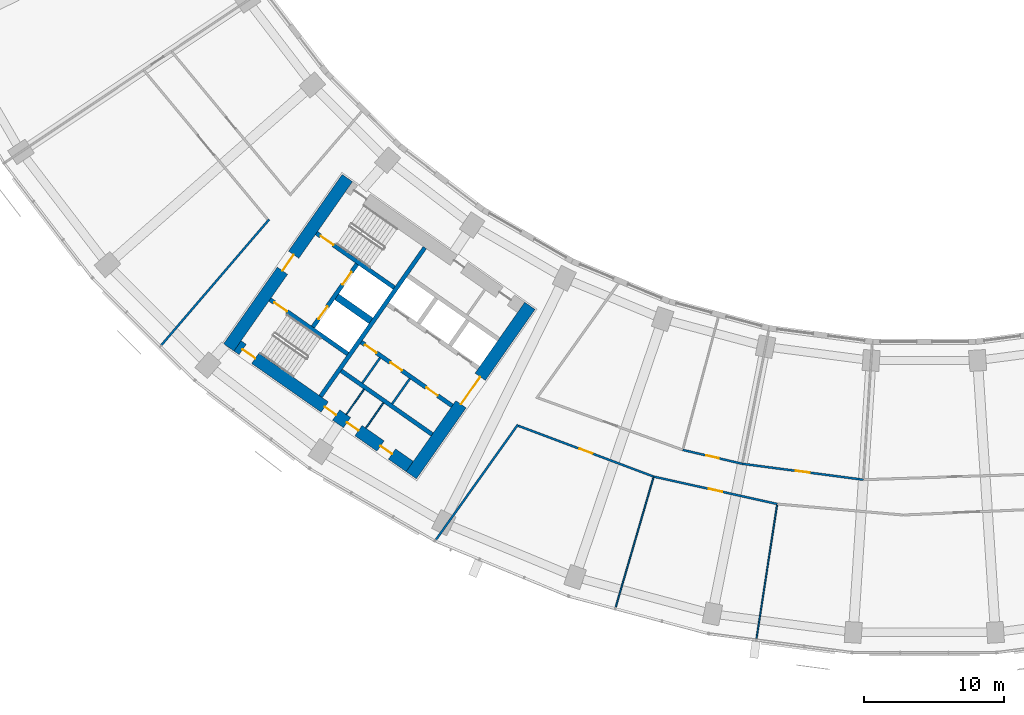
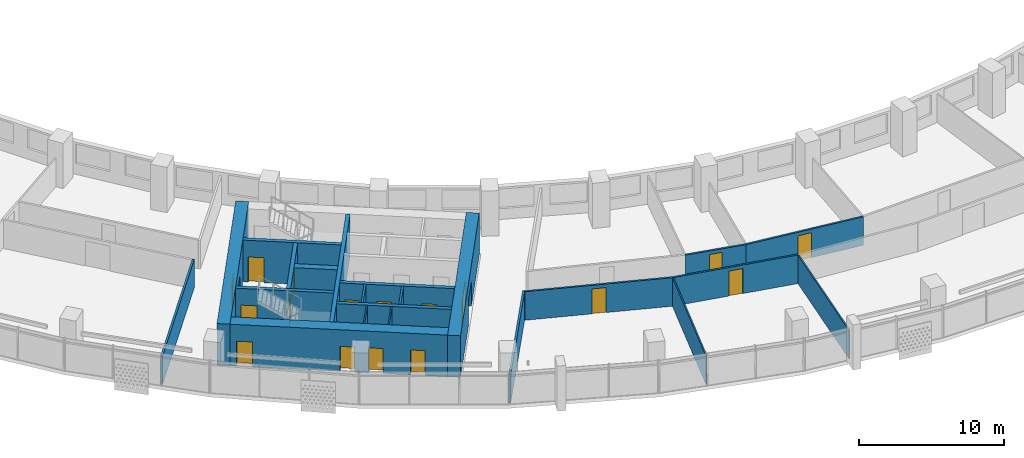
# One storey, part 3 of 30: 22 walls, 17 doors, 17 openings.
"""IFC4 building model written with IfcOpenShell, lengths in metres."""

from ifc_helpers import new_model, si_unit, direction, frame, frame_2d, origin, place, context, subcontext, project, spatial, rectangle, extrude, material, layer, layer_set, type_object, element, fill, save


model = new_model("IFC4")

# Units and contexts
model_context = context("Model", 3, precision=1e-05, world=origin(), true_north=direction((0.0, 1.0)))
body_context = subcontext(model_context, "Body", "Model", "MODEL_VIEW")
ifc_project = project(units=[si_unit("LENGTHUNIT", "METRE"), si_unit("AREAUNIT", "SQUARE_METRE"), si_unit("VOLUMEUNIT", "CUBIC_METRE"), si_unit("PLANEANGLEUNIT", "RADIAN"), si_unit("MASSUNIT", "GRAM", prefix="KILO")], contexts=[model_context])

# Site, building, storey
site_placement = place(None, origin())
site = spatial("IfcSite", under=ifc_project, at=site_placement, CompositionType="ELEMENT")
building_placement = place(site_placement, origin())
building = spatial("IfcBuilding", under=site, at=building_placement, Name="Qamariyya Broadcast Tower", CompositionType="ELEMENT")
storey_placement = place(building_placement, frame((0.0, 0.0, 98.699951171875)))
storey = spatial("IfcBuildingStorey", under=building, at=storey_placement, Name="L21", CompositionType="ELEMENT", Elevation=98.699951171875)

# Wall, opening, door
ifc_material_1 = material(Name="Concrete C70/85", Category="concrete")
ifc_layer_1 = layer(ifc_material_1, 0.89990234375)
ifc_layer_set_1 = layer_set([ifc_layer_1], Name="Core wall 900 mm Concrete C70/85")
wall_type_1 = type_object("IfcWallType", Name="Core wall 900 mm Concrete C70/85", PredefinedType="SHEAR", material=ifc_layer_set_1)
wall_1_placement = place(storey_placement, frame((-36.716796875, -66.3369140625, 0.0), z_axis=(0.0, 0.0, 1.0), x_axis=(0.573577477574, 0.819151315216, 0.0)))
wall_1 = element("IfcWall", 1, at=wall_1_placement, inside=storey, type_object=wall_type_1, Name="k-W-L21-WA", PredefinedType="SHEAR", context=body_context, shape_type="SweptSolid", body=[
    extrude(rectangle(XDim=14.800048828125, YDim=0.89990234375, at=frame_2d((7.39990234375, 0.0))), origin(), (0.0, 0.0, 1.0), 3.5),
])
opening_1_placement = place(wall_1_placement, frame((6.199951171875, 0.0, 0.0)))
opening_1 = element("IfcOpeningElement", 2, at=opening_1_placement, cuts=wall_1, Name="Opening KD3-W1", PredefinedType="OPENING", context=body_context, shape_type="SweptSolid", body=[
    extrude(rectangle(XDim=2.39990234375, YDim=2.10009765625, at=frame_2d((1.199951171875, 1.050048828125))), frame((0.0, 0.4599609375, 0.0), z_axis=(0.0, -1.0, 0.0), x_axis=(1.0, 0.0, 0.0)), (0.0, 0.0, 1.0), 0.919921875),
])
ifc_material_2 = material(Name="Steel fire-resisting door leaf", Category="steel")
door_type_1 = type_object("IfcDoorType", Name="Lift lobby door KD3", OperationType="DOUBLE_DOOR_SINGLE_SWING", PredefinedType="DOOR", material=ifc_material_2)
door_1_placement = place(opening_1_placement, origin())
door_1 = element("IfcDoor", 3, at=door_1_placement, inside=storey, type_object=door_type_1, Name="k-W-L21-WA-D1", OperationType="DOUBLE_DOOR_SINGLE_SWING", OverallHeight=2.10009765625, OverallWidth=2.39990234375, PredefinedType="DOOR", context=body_context, shape_type="SweptSolid", body=[
    extrude(rectangle(XDim=2.39990234375, YDim=2.10009765625, at=frame_2d((1.199951171875, 1.050048828125))), frame((0.0, 0.02490234375, 0.0), z_axis=(0.0, -1.0, 0.0), x_axis=(1.0, 0.0, 0.0)), (0.0, 0.0, 1.0), 0.050048828125),
])
fill(opening_1, door_1)

wall_2_placement = place(storey_placement, frame((-49.778564453125, -57.191162109375, 0.0), z_axis=(0.0, 0.0, 1.0), x_axis=(0.573577477574, 0.819151315216, 0.0)))
wall_2 = element("IfcWall", 4, at=wall_2_placement, inside=storey, type_object=wall_type_1, Name="k-W-L21-WH", PredefinedType="SHEAR", context=body_context, shape_type="SweptSolid", body=[
    extrude(rectangle(XDim=14.800048828125, YDim=0.89990234375, at=frame_2d((7.39990234375, 0.0))), origin(), (0.0, 0.0, 1.0), 3.5),
])
opening_2_placement = place(wall_2_placement, frame((6.699951171875, 0.0, 0.0)))
opening_2 = element("IfcOpeningElement", 5, at=opening_2_placement, cuts=wall_2, Name="Opening KD2-W1", PredefinedType="OPENING", context=body_context, shape_type="SweptSolid", body=[
    extrude(rectangle(XDim=1.39990234375, YDim=2.10009765625, at=frame_2d((0.699951171875, 1.050048828125))), frame((0.0, 0.4599609375, 0.0), z_axis=(0.0, -1.0, 0.0), x_axis=(1.0, 0.0, 0.0)), (0.0, 0.0, 1.0), 0.919921875),
])
door_type_2 = type_object("IfcDoorType", Name="Fire-fighting lobby door KD2", OperationType="DOUBLE_DOOR_SINGLE_SWING", PredefinedType="DOOR", material=ifc_material_2)
door_2_placement = place(opening_2_placement, origin())
door_2 = element("IfcDoor", 6, at=door_2_placement, inside=storey, type_object=door_type_2, Name="k-W-L21-WH-D15", OperationType="DOUBLE_DOOR_SINGLE_SWING", OverallHeight=2.10009765625, OverallWidth=1.39990234375, PredefinedType="DOOR", context=body_context, shape_type="SweptSolid", body=[
    extrude(rectangle(XDim=1.39990234375, YDim=2.10009765625, at=frame_2d((0.699951171875, 1.050048828125))), frame((0.0, 0.02490234375, 0.0), z_axis=(0.0, -1.0, 0.0), x_axis=(1.0, 0.0, 0.0)), (0.0, 0.0, 1.0), 0.050048828125),
])
fill(opening_2, door_2)

# Wall, openings, doors
wall_3_placement = place(storey_placement, frame((-36.827392578125, -65.710205078125, 0.0), z_axis=(0.0, 0.0, 1.0), x_axis=(-0.819153391756, 0.573574511963, 0.0)))
wall_3 = element("IfcWall", 7, at=wall_3_placement, inside=storey, type_object=wall_type_1, Name="k-W-L21-WO", PredefinedType="SHEAR", context=body_context, shape_type="SweptSolid", body=[
    extrude(rectangle(XDim=15.04541015625, YDim=0.89990234375, at=frame_2d((7.522705078125, 0.0))), origin(), (0.0, 0.0, 1.0), 3.5),
])
opening_3_placement = place(wall_3_placement, frame((1.550048828125, 0.0, 0.0)))
opening_3 = element("IfcOpeningElement", 8, at=opening_3_placement, cuts=wall_3, Name="Opening KD4-W2", PredefinedType="OPENING", context=body_context, shape_type="SweptSolid", body=[
    extrude(rectangle(XDim=1.0, YDim=2.10009765625, at=frame_2d((0.5, 1.050048828125))), frame((0.0, 0.4599609375, 0.0), z_axis=(0.0, -1.0, 0.0), x_axis=(1.0, 0.0, 0.0)), (0.0, 0.0, 1.0), 0.919921875),
])
opening_4_placement = place(wall_3_placement, frame((4.47509765625, 0.0, 0.0)))
opening_4 = element("IfcOpeningElement", 9, at=opening_4_placement, cuts=wall_3, Name="Opening KD4-W3", PredefinedType="OPENING", context=body_context, shape_type="SweptSolid", body=[
    extrude(rectangle(XDim=1.0, YDim=2.10009765625, at=frame_2d((0.5, 1.050048828125))), frame((0.0, 0.4599609375, 0.0), z_axis=(0.0, -1.0, 0.0), x_axis=(1.0, 0.0, 0.0)), (0.0, 0.0, 1.0), 0.919921875),
])
opening_5_placement = place(wall_3_placement, frame((6.425048828125, 0.0, 0.0)))
opening_5 = element("IfcOpeningElement", 10, at=opening_5_placement, cuts=wall_3, Name="Opening KD4-W4", PredefinedType="OPENING", context=body_context, shape_type="SweptSolid", body=[
    extrude(rectangle(XDim=1.0, YDim=2.10009765625, at=frame_2d((0.5, 1.050048828125))), frame((0.0, 0.4599609375, 0.0), z_axis=(0.0, -1.0, 0.0), x_axis=(1.0, 0.0, 0.0)), (0.0, 0.0, 1.0), 0.919921875),
])
opening_6_placement = place(wall_3_placement, frame((13.495361328125, 0.0, 0.0)))
opening_6 = element("IfcOpeningElement", 11, at=opening_6_placement, cuts=wall_3, Name="Opening KD1-W3", PredefinedType="OPENING", context=body_context, shape_type="SweptSolid", body=[
    extrude(rectangle(XDim=1.10009765625, YDim=2.10009765625, at=frame_2d((0.550048828125, 1.050048828125))), frame((0.0, 0.4599609375, 0.0), z_axis=(0.0, -1.0, 0.0), x_axis=(1.0, 0.0, 0.0)), (0.0, 0.0, 1.0), 0.919921875),
])
door_type_3 = type_object("IfcDoorType", Name="Riser and plant door KD4", OperationType="SINGLE_SWING_LEFT", PredefinedType="DOOR", material=ifc_material_2)
door_3_placement = place(opening_3_placement, origin())
door_3 = element("IfcDoor", 12, at=door_3_placement, inside=storey, type_object=door_type_3, Name="k-W-L21-WO-D10", OperationType="SINGLE_SWING_LEFT", OverallHeight=2.10009765625, OverallWidth=1.0, PredefinedType="DOOR", context=body_context, shape_type="SweptSolid", body=[
    extrude(rectangle(XDim=1.0, YDim=2.10009765625, at=frame_2d((0.5, 1.050048828125))), frame((0.0, 0.02490234375, 0.0), z_axis=(0.0, -1.0, 0.0), x_axis=(1.0, 0.0, 0.0)), (0.0, 0.0, 1.0), 0.050048828125),
])
fill(opening_3, door_3)
door_4_placement = place(opening_4_placement, origin())
door_4 = element("IfcDoor", 13, at=door_4_placement, inside=storey, type_object=door_type_3, Name="k-W-L21-WO-D11", OperationType="SINGLE_SWING_RIGHT", OverallHeight=2.10009765625, OverallWidth=1.0, PredefinedType="DOOR", context=body_context, shape_type="SweptSolid", body=[
    extrude(rectangle(XDim=1.0, YDim=2.10009765625, at=frame_2d((0.5, 1.050048828125))), frame((0.0, 0.02490234375, 0.0), z_axis=(0.0, -1.0, 0.0), x_axis=(1.0, 0.0, 0.0)), (0.0, 0.0, 1.0), 0.050048828125),
])
fill(opening_4, door_4)
door_5_placement = place(opening_5_placement, origin())
door_5 = element("IfcDoor", 14, at=door_5_placement, inside=storey, type_object=door_type_3, Name="k-W-L21-WO-D12", OperationType="SINGLE_SWING_LEFT", OverallHeight=2.10009765625, OverallWidth=1.0, PredefinedType="DOOR", context=body_context, shape_type="SweptSolid", body=[
    extrude(rectangle(XDim=1.0, YDim=2.10009765625, at=frame_2d((0.5, 1.050048828125))), frame((0.0, 0.02490234375, 0.0), z_axis=(0.0, -1.0, 0.0), x_axis=(1.0, 0.0, 0.0)), (0.0, 0.0, 1.0), 0.050048828125),
])
fill(opening_5, door_5)
door_type_4 = type_object("IfcDoorType", Name="Stair door KD1", OperationType="SINGLE_SWING_LEFT", PredefinedType="DOOR", material=ifc_material_2)
door_6_placement = place(opening_6_placement, origin())
door_6 = element("IfcDoor", 15, at=door_6_placement, inside=storey, type_object=door_type_4, Name="k-W-L21-WO-D18", OperationType="SINGLE_SWING_LEFT", OverallHeight=2.10009765625, OverallWidth=1.10009765625, PredefinedType="DOOR", context=body_context, shape_type="SweptSolid", body=[
    extrude(rectangle(XDim=1.10009765625, YDim=2.10009765625, at=frame_2d((0.550048828125, 1.050048828125))), frame((0.0, 0.02490234375, 0.0), z_axis=(0.0, -1.0, 0.0), x_axis=(1.0, 0.0, 0.0)), (0.0, 0.0, 1.0), 0.050048828125),
])
fill(opening_6, door_6)

# Walls
ifc_material_3 = material(Name="Gypsum board partition")
ifc_layer_2 = layer(ifc_material_3, 0.14990234375)
ifc_layer_set_2 = layer_set([ifc_layer_2], Name="Corridor partition 150 EI 60")
wall_type_2 = type_object("IfcWallType", Name="Corridor partition 150 EI 60", PredefinedType="PARTITIONING", material=ifc_layer_set_2)
wall_4_placement = place(storey_placement, frame((-46.889892578125, -48.03271484375, 0.0), z_axis=(0.0, 0.0, 1.0), x_axis=(-0.650984855328, -0.759090717986, 0.0)))
element("IfcWall", 16, at=wall_4_placement, inside=storey, type_object=wall_type_2, Name="Partition L21-005", PredefinedType="PARTITIONING", context=body_context, shape_type="SweptSolid", body=[
    extrude(rectangle(XDim=11.844970703125, YDim=0.14990234375, at=frame_2d((5.92236328125, 0.0))), origin(), (0.0, 0.0, 1.0), 2.400146484375),
])
wall_5_placement = place(storey_placement, frame((-29.083984375, -62.710205078125, 0.0), z_axis=(0.0, 0.0, 1.0), x_axis=(-0.580031092611, -0.814594335608, 0.0)))
element("IfcWall", 17, at=wall_5_placement, inside=storey, type_object=wall_type_2, Name="Partition L21-008", PredefinedType="PARTITIONING", context=body_context, shape_type="SweptSolid", body=[
    extrude(rectangle(XDim=10.126220703125, YDim=0.14990234375, at=frame_2d((5.06298828125, 0.0))), origin(), (0.0, 0.0, 1.0), 2.400146484375),
])

# Wall, opening, door
wall_6_placement = place(storey_placement, frame((-19.365966796875, -66.434814453125, 0.0), z_axis=(0.0, 0.0, 1.0), x_axis=(-0.936236096431, 0.351371557956, 0.0)))
wall_6 = element("IfcWall", 18, at=wall_6_placement, inside=storey, type_object=wall_type_2, Name="Partition L21-009", PredefinedType="PARTITIONING", context=body_context, shape_type="SweptSolid", body=[
    extrude(rectangle(XDim=10.3515625, YDim=0.14990234375, at=frame_2d((5.17578125, 0.0))), origin(), (0.0, 0.0, 1.0), 2.400146484375),
])
opening_7_placement = place(wall_6_placement, frame((4.67578125, 0.0, 0.0)))
opening_7 = element("IfcOpeningElement", 19, at=opening_7_placement, cuts=wall_6, Name="Opening L21-D01", PredefinedType="OPENING", context=body_context, shape_type="SweptSolid", body=[
    extrude(rectangle(XDim=1.0, YDim=2.10009765625, at=frame_2d((0.5, 1.050048828125))), frame((0.0, 0.0849609375, 0.0), z_axis=(0.0, -1.0, 0.0), x_axis=(1.0, 0.0, 0.0)), (0.0, 0.0, 1.0), 0.169921875),
])
ifc_material_4 = material(Name="Timber fire door leaf", Category="wood")
door_type_5 = type_object("IfcDoorType", Name="Fire door 1000 x 2100 FD60", OperationType="NOTDEFINED", PredefinedType="DOOR", material=ifc_material_4)
door_7_placement = place(opening_7_placement, origin())
door_7 = element("IfcDoor", 20, at=door_7_placement, inside=storey, type_object=door_type_5, Name="Door L21-D01", OperationType="SINGLE_SWING_RIGHT", OverallHeight=2.10009765625, OverallWidth=1.0, PredefinedType="DOOR", context=body_context, shape_type="SweptSolid", body=[
    extrude(rectangle(XDim=1.0, YDim=2.10009765625, at=frame_2d((0.5, 1.050048828125))), frame((0.0, 0.02490234375, 0.0), z_axis=(0.0, -1.0, 0.0), x_axis=(1.0, 0.0, 0.0)), (0.0, 0.0, 1.0), 0.050048828125),
])
fill(opening_7, door_7)

wall_7_placement = place(storey_placement, frame((-10.52880859375, -68.394287109375, 0.0), z_axis=(0.0, 0.0, 1.0), x_axis=(-0.976288493125, 0.216473504595, 0.0)))
wall_7 = element("IfcWall", 21, at=wall_7_placement, inside=storey, type_object=wall_type_2, Name="Partition L21-013", PredefinedType="PARTITIONING", context=body_context, shape_type="SweptSolid", body=[
    extrude(rectangle(XDim=9.0517578125, YDim=0.14990234375, at=frame_2d((4.52587890625, 0.0))), origin(), (0.0, 0.0, 1.0), 2.400146484375),
])
opening_8_placement = place(wall_7_placement, frame((4.02587890625, 0.0, 0.0)))
opening_8 = element("IfcOpeningElement", 22, at=opening_8_placement, cuts=wall_7, Name="Opening L21-D02", PredefinedType="OPENING", context=body_context, shape_type="SweptSolid", body=[
    extrude(rectangle(XDim=1.0, YDim=2.10009765625, at=frame_2d((0.5, 1.050048828125))), frame((0.0, 0.0849609375, 0.0), z_axis=(0.0, -1.0, 0.0), x_axis=(1.0, 0.0, 0.0)), (0.0, 0.0, 1.0), 0.169921875),
])
door_8_placement = place(opening_8_placement, origin())
door_8 = element("IfcDoor", 23, at=door_8_placement, inside=storey, type_object=door_type_5, Name="Door L21-D02", OperationType="SINGLE_SWING_RIGHT", OverallHeight=2.10009765625, OverallWidth=1.0, PredefinedType="DOOR", context=body_context, shape_type="SweptSolid", body=[
    extrude(rectangle(XDim=1.0, YDim=2.10009765625, at=frame_2d((0.5, 1.050048828125))), frame((0.0, 0.02490234375, 0.0), z_axis=(0.0, -1.0, 0.0), x_axis=(1.0, 0.0, 0.0)), (0.0, 0.0, 1.0), 0.050048828125),
])
fill(opening_8, door_8)

wall_8_placement = place(storey_placement, frame((-17.2890625, -64.52392578125, 0.0), z_axis=(0.0, 0.0, 1.0), x_axis=(0.973886095728, -0.227037161159, 0.0)))
wall_8 = element("IfcWall", 24, at=wall_8_placement, inside=storey, type_object=wall_type_2, Name="Partition L21-014", PredefinedType="PARTITIONING", context=body_context, shape_type="SweptSolid", body=[
    extrude(rectangle(XDim=4.371337890625, YDim=0.14990234375, at=frame_2d((2.185546875, 0.0))), origin(), (0.0, 0.0, 1.0), 2.400146484375),
])
opening_9_placement = place(wall_8_placement, frame((1.735595703125, 0.0, 0.0)))
opening_9 = element("IfcOpeningElement", 25, at=opening_9_placement, cuts=wall_8, Name="Opening L21-D07", PredefinedType="OPENING", context=body_context, shape_type="SweptSolid", body=[
    extrude(rectangle(XDim=0.89990234375, YDim=2.10009765625, at=frame_2d((0.449951171875, 1.050048828125))), frame((0.0, 0.0849609375, 0.0), z_axis=(0.0, -1.0, 0.0), x_axis=(1.0, 0.0, 0.0)), (0.0, 0.0, 1.0), 0.169921875),
])
door_type_6 = type_object("IfcDoorType", Name="Fire door 900 x 2100 FD60", OperationType="NOTDEFINED", PredefinedType="DOOR", material=ifc_material_4)
door_9_placement = place(opening_9_placement, origin())
door_9 = element("IfcDoor", 26, at=door_9_placement, inside=storey, type_object=door_type_6, Name="Door L21-D07", OperationType="SINGLE_SWING_RIGHT", OverallHeight=2.10009765625, OverallWidth=0.89990234375, PredefinedType="DOOR", context=body_context, shape_type="SweptSolid", body=[
    extrude(rectangle(XDim=0.89990234375, YDim=2.10009765625, at=frame_2d((0.449951171875, 1.050048828125))), frame((0.0, 0.02490234375, 0.0), z_axis=(0.0, -1.0, 0.0), x_axis=(1.0, 0.0, 0.0)), (0.0, 0.0, 1.0), 0.050048828125),
])
fill(opening_9, door_9)

wall_9_placement = place(storey_placement, frame((-13.031982421875, -65.516357421875, 0.0), z_axis=(0.0, 0.0, 1.0), x_axis=(0.991443260322, -0.130538352841, 0.0)))
wall_9 = element("IfcWall", 27, at=wall_9_placement, inside=storey, type_object=wall_type_2, Name="Partition L21-016", PredefinedType="PARTITIONING", context=body_context, shape_type="SweptSolid", body=[
    extrude(rectangle(XDim=8.73779296875, YDim=0.14990234375, at=frame_2d((4.368896484375, 0.0))), origin(), (0.0, 0.0, 1.0), 2.400146484375),
])
opening_10_placement = place(wall_9_placement, frame((3.868896484375, 0.0, 0.0)))
opening_10 = element("IfcOpeningElement", 28, at=opening_10_placement, cuts=wall_9, Name="Opening L21-D08", PredefinedType="OPENING", context=body_context, shape_type="SweptSolid", body=[
    extrude(rectangle(XDim=1.0, YDim=2.10009765625, at=frame_2d((0.5, 1.050048828125))), frame((0.0, 0.0849609375, 0.0), z_axis=(0.0, -1.0, 0.0), x_axis=(1.0, 0.0, 0.0)), (0.0, 0.0, 1.0), 0.169921875),
])
door_10_placement = place(opening_10_placement, origin())
door_10 = element("IfcDoor", 29, at=door_10_placement, inside=storey, type_object=door_type_5, Name="Door L21-D08", OperationType="SINGLE_SWING_RIGHT", OverallHeight=2.10009765625, OverallWidth=1.0, PredefinedType="DOOR", context=body_context, shape_type="SweptSolid", body=[
    extrude(rectangle(XDim=1.0, YDim=2.10009765625, at=frame_2d((0.5, 1.050048828125))), frame((0.0, 0.02490234375, 0.0), z_axis=(0.0, -1.0, 0.0), x_axis=(1.0, 0.0, 0.0)), (0.0, 0.0, 1.0), 0.050048828125),
])
fill(opening_10, door_10)

# Walls
ifc_material_5 = material(Name="Concrete C60/75", Category="concrete")
ifc_layer_3 = layer(ifc_material_5, 0.5)
ifc_layer_set_3 = layer_set([ifc_layer_3], Name="Fire-fighting lobby divider wall 500 mm Concrete C60/75")
wall_type_3 = type_object("IfcWallType", Name="Fire-fighting lobby divider wall 500 mm Concrete C60/75", PredefinedType="SOLIDWALL", material=ifc_layer_set_3)
wall_10_placement = place(storey_placement, frame((-39.59912109375, -55.28515625, 0.0), z_axis=(0.0, 0.0, 1.0), x_axis=(-0.819136323161, 0.573598887793, 0.0)))
element("IfcWall", 30, at=wall_10_placement, inside=storey, type_object=wall_type_3, Name="k-W-L21-FD", PredefinedType="SOLIDWALL", context=body_context, shape_type="SweptSolid", body=[
    extrude(rectangle(XDim=2.999755859375, YDim=0.5, at=frame_2d((1.5, 0.0))), origin(), (0.0, 0.0, 1.0), 3.5),
])
ifc_material_6 = material(Name="Gypsum board partition on steel studs", Category="steel")
ifc_layer_4 = layer(ifc_material_6, 0.14990234375)
ifc_layer_set_4 = layer_set([ifc_layer_4], Name="Gypsum board partition 150 mm")
wall_type_4 = type_object("IfcWallType", Name="Gypsum board partition 150 mm", PredefinedType="PARTITIONING", material=ifc_layer_set_4)
for number, where, z_axis, x_axis, name in (
    (31, (-36.822509765625, -59.4267578125, 0.0), (0.0, 0.0, 1.0), (-0.573507030513, -0.819200638399, 0.0), "k-W-L21-SC360"),
    (32, (-38.9521484375, -57.935546875, 0.0), (0.0, 0.0, 1.0), (-0.573633636671, -0.819111989218, 0.0), "k-W-L21-SC620"),
):
    element("IfcWall", number, at=place(storey_placement, frame(where, z_axis=z_axis, x_axis=x_axis)), inside=storey, type_object=wall_type_4, Name=name, PredefinedType="PARTITIONING", context=body_context, shape_type="SweptSolid", body=[
        extrude(rectangle(XDim=2.199951171875, YDim=0.14990234375, at=frame_2d((1.10009765625, 0.0))), origin(), (0.0, 0.0, 1.0), 3.5),
    ])
ifc_layer_5 = layer(ifc_material_5, 0.300048828125)
ifc_layer_set_5 = layer_set([ifc_layer_5], Name="Lift shaft wall 300 mm Concrete C60/75")
wall_type_5 = type_object("IfcWallType", Name="Lift shaft wall 300 mm Concrete C60/75", PredefinedType="SOLIDWALL", material=ifc_layer_set_5)
wall_11_placement = place(storey_placement, frame((-43.204345703125, -60.69580078125, 0.0), z_axis=(0.0, 0.0, 1.0), x_axis=(0.573571992966, 0.819155155563, 0.0)))
element("IfcWall", 33, at=wall_11_placement, inside=storey, type_object=wall_type_5, Name="k-W-L21-WL", PredefinedType="SOLIDWALL", context=body_context, shape_type="SweptSolid", body=[
    extrude(rectangle(XDim=13.000244140625, YDim=0.300048828125, at=frame_2d((6.5, 0.0))), origin(), (0.0, 0.0, 1.0), 3.5),
])

# Wall, openings, doors
wall_12_placement = place(storey_placement, frame((-33.787353515625, -61.368896484375, 0.0), z_axis=(0.0, 0.0, 1.0), x_axis=(-0.819152564888, 0.573575692858, 0.0)))
wall_12 = element("IfcWall", 34, at=wall_12_placement, inside=storey, type_object=wall_type_5, Name="k-W-L21-SF0", PredefinedType="SOLIDWALL", context=body_context, shape_type="SweptSolid", body=[
    extrude(rectangle(XDim=7.9501953125, YDim=0.300048828125, at=frame_2d((3.97509765625, 0.0))), origin(), (0.0, 0.0, 1.0), 3.5),
])
opening_11_placement = place(wall_12_placement, frame((1.262451171875, 0.0, 0.0)))
opening_11 = element("IfcOpeningElement", 35, at=opening_11_placement, cuts=wall_12, Name="Opening KD6-W1", PredefinedType="OPENING", context=body_context, shape_type="SweptSolid", body=[
    extrude(rectangle(XDim=1.0, YDim=2.10009765625, at=frame_2d((0.5, 1.050048828125))), frame((0.0, 0.159912109375, 0.0), z_axis=(0.0, -1.0, 0.0), x_axis=(1.0, 0.0, 0.0)), (0.0, 0.0, 1.0), 0.320068359375),
])
opening_12_placement = place(wall_12_placement, frame((4.39990234375, 0.0, 0.0)))
opening_12 = element("IfcOpeningElement", 36, at=opening_12_placement, cuts=wall_12, Name="Opening KD4-W1", PredefinedType="OPENING", context=body_context, shape_type="SweptSolid", body=[
    extrude(rectangle(XDim=1.0, YDim=2.10009765625, at=frame_2d((0.5, 1.050048828125))), frame((0.0, 0.159912109375, 0.0), z_axis=(0.0, -1.0, 0.0), x_axis=(1.0, 0.0, 0.0)), (0.0, 0.0, 1.0), 0.320068359375),
])
opening_13_placement = place(wall_12_placement, frame((6.612548828125, 0.0, 0.0)))
opening_13 = element("IfcOpeningElement", 37, at=opening_13_placement, cuts=wall_12, Name="Opening KD6-W2", PredefinedType="OPENING", context=body_context, shape_type="SweptSolid", body=[
    extrude(rectangle(XDim=1.0, YDim=2.10009765625, at=frame_2d((0.5, 1.050048828125))), frame((0.0, 0.159912109375, 0.0), z_axis=(0.0, -1.0, 0.0), x_axis=(1.0, 0.0, 0.0)), (0.0, 0.0, 1.0), 0.320068359375),
])
door_type_7 = type_object("IfcDoorType", Name="Core room door KD6", OperationType="SINGLE_SWING_LEFT", PredefinedType="DOOR", material=ifc_material_2)
door_11_placement = place(opening_11_placement, origin())
door_11 = element("IfcDoor", 38, at=door_11_placement, inside=storey, type_object=door_type_7, Name="k-W-L21-SF0-D5", OperationType="SINGLE_SWING_RIGHT", OverallHeight=2.10009765625, OverallWidth=1.0, PredefinedType="DOOR", context=body_context, shape_type="SweptSolid", body=[
    extrude(rectangle(XDim=1.0, YDim=2.10009765625, at=frame_2d((0.5, 1.050048828125))), frame((0.0, 0.02490234375, 0.0), z_axis=(0.0, -1.0, 0.0), x_axis=(1.0, 0.0, 0.0)), (0.0, 0.0, 1.0), 0.050048828125),
])
fill(opening_11, door_11)
door_12_placement = place(opening_13_placement, origin())
door_12 = element("IfcDoor", 39, at=door_12_placement, inside=storey, type_object=door_type_7, Name="k-W-L21-SF0-D7", OperationType="SINGLE_SWING_RIGHT", OverallHeight=2.10009765625, OverallWidth=1.0, PredefinedType="DOOR", context=body_context, shape_type="SweptSolid", body=[
    extrude(rectangle(XDim=1.0, YDim=2.10009765625, at=frame_2d((0.5, 1.050048828125))), frame((0.0, 0.02490234375, 0.0), z_axis=(0.0, -1.0, 0.0), x_axis=(1.0, 0.0, 0.0)), (0.0, 0.0, 1.0), 0.050048828125),
])
fill(opening_13, door_12)
door_13_placement = place(opening_12_placement, origin())
door_13 = element("IfcDoor", 40, at=door_13_placement, inside=storey, type_object=door_type_3, Name="k-W-L21-SF0-D6", OperationType="SINGLE_SWING_LEFT", OverallHeight=2.10009765625, OverallWidth=1.0, PredefinedType="DOOR", context=body_context, shape_type="SweptSolid", body=[
    extrude(rectangle(XDim=1.0, YDim=2.10009765625, at=frame_2d((0.5, 1.050048828125))), frame((0.0, 0.02490234375, 0.0), z_axis=(0.0, -1.0, 0.0), x_axis=(1.0, 0.0, 0.0)), (0.0, 0.0, 1.0), 0.050048828125),
])
fill(opening_12, door_13)

# Wall
wall_13_placement = place(storey_placement, frame((-35.22119140625, -63.41650390625, 0.0), z_axis=(0.0, 0.0, 1.0), x_axis=(-0.819166993208, 0.573555086491, 0.0)))
element("IfcWall", 41, at=wall_13_placement, inside=storey, type_object=wall_type_5, Name="k-W-L21-SB0", PredefinedType="SOLIDWALL", context=body_context, shape_type="SweptSolid", body=[
    extrude(rectangle(XDim=7.9501953125, YDim=0.300048828125, at=frame_2d((3.97509765625, 0.0))), origin(), (0.0, 0.0, 1.0), 3.5),
])

# Wall, opening, door
wall_14_placement = place(storey_placement, frame((-37.935546875, -52.90966796875, 0.0), z_axis=(0.0, 0.0, 1.0), x_axis=(-0.819147518138, 0.57358290031, 0.0)))
wall_14 = element("IfcWall", 42, at=wall_14_placement, inside=storey, type_object=wall_type_5, Name="k-W-L21-NW", PredefinedType="SOLIDWALL", context=body_context, shape_type="SweptSolid", body=[
    extrude(rectangle(XDim=6.79541015625, YDim=0.300048828125, at=frame_2d((3.397705078125, 0.0))), origin(), (0.0, 0.0, 1.0), 3.5),
])
opening_14_placement = place(wall_14_placement, frame((5.3203125, 0.0, 0.0)))
opening_14 = element("IfcOpeningElement", 43, at=opening_14_placement, cuts=wall_14, Name="Opening KD1-W2", PredefinedType="OPENING", context=body_context, shape_type="SweptSolid", body=[
    extrude(rectangle(XDim=1.10009765625, YDim=2.10009765625, at=frame_2d((0.550048828125, 1.050048828125))), frame((0.0, 0.159912109375, 0.0), z_axis=(0.0, -1.0, 0.0), x_axis=(1.0, 0.0, 0.0)), (0.0, 0.0, 1.0), 0.320068359375),
])
door_14_placement = place(opening_14_placement, origin())
door_14 = element("IfcDoor", 44, at=door_14_placement, inside=storey, type_object=door_type_4, Name="k-W-L21-NW-D17", OperationType="SINGLE_SWING_RIGHT", OverallHeight=2.10009765625, OverallWidth=1.10009765625, PredefinedType="DOOR", context=body_context, shape_type="SweptSolid", body=[
    extrude(rectangle(XDim=1.10009765625, YDim=2.10009765625, at=frame_2d((0.550048828125, 1.050048828125))), frame((0.0, 0.02490234375, 0.0), z_axis=(0.0, -1.0, 0.0), x_axis=(1.0, 0.0, 0.0)), (0.0, 0.0, 1.0), 0.050048828125),
])
fill(opening_14, door_14)

wall_15_placement = place(storey_placement, frame((-41.262451171875, -57.66064453125, 0.0), z_axis=(0.0, 0.0, 1.0), x_axis=(-0.819164398642, 0.573558792102, 0.0)))
wall_15 = element("IfcWall", 45, at=wall_15_placement, inside=storey, type_object=wall_type_5, Name="k-W-L21-SW", PredefinedType="SOLIDWALL", context=body_context, shape_type="SweptSolid", body=[
    extrude(rectangle(XDim=6.795166015625, YDim=0.300048828125, at=frame_2d((3.3974609375, 0.0))), origin(), (0.0, 0.0, 1.0), 3.5),
])
opening_15_placement = place(wall_15_placement, frame((5.3203125, 0.0, 0.0)))
opening_15 = element("IfcOpeningElement", 46, at=opening_15_placement, cuts=wall_15, Name="Opening KD1-W4", PredefinedType="OPENING", context=body_context, shape_type="SweptSolid", body=[
    extrude(rectangle(XDim=1.10009765625, YDim=2.10009765625, at=frame_2d((0.550048828125, 1.050048828125))), frame((0.0, 0.159912109375, 0.0), z_axis=(0.0, -1.0, 0.0), x_axis=(1.0, 0.0, 0.0)), (0.0, 0.0, 1.0), 0.320068359375),
])
door_15_placement = place(opening_15_placement, origin())
door_15 = element("IfcDoor", 47, at=door_15_placement, inside=storey, type_object=door_type_4, Name="k-W-L21-SW-D19", OperationType="SINGLE_SWING_RIGHT", OverallHeight=2.10009765625, OverallWidth=1.10009765625, PredefinedType="DOOR", context=body_context, shape_type="SweptSolid", body=[
    extrude(rectangle(XDim=1.10009765625, YDim=2.10009765625, at=frame_2d((0.550048828125, 1.050048828125))), frame((0.0, 0.02490234375, 0.0), z_axis=(0.0, -1.0, 0.0), x_axis=(1.0, 0.0, 0.0)), (0.0, 0.0, 1.0), 0.050048828125),
])
fill(opening_15, door_15)

# Wall, openings, doors
wall_16_placement = place(storey_placement, frame((-43.756591796875, -55.731201171875, 0.0), z_axis=(0.0, 0.0, 1.0), x_axis=(0.573536818435, 0.819179783625, 0.0)))
wall_16 = element("IfcWall", 48, at=wall_16_placement, inside=storey, type_object=wall_type_5, Name="k-W-L21-FF", PredefinedType="SOLIDWALL", context=body_context, shape_type="SweptSolid", body=[
    extrude(rectangle(XDim=5.500244140625, YDim=0.300048828125, at=frame_2d((2.75, 0.0))), origin(), (0.0, 0.0, 1.0), 3.5),
])
opening_16_placement = place(wall_16_placement, frame((0.699951171875, 0.0, 0.0)))
opening_16 = element("IfcOpeningElement", 49, at=opening_16_placement, cuts=wall_16, Name="Opening LD", PredefinedType="OPENING", context=body_context, shape_type="SweptSolid", body=[
    extrude(rectangle(XDim=1.10009765625, YDim=2.10009765625, at=frame_2d((0.550048828125, 1.050048828125))), frame((0.0, 0.159912109375, 0.0), z_axis=(0.0, -1.0, 0.0), x_axis=(1.0, 0.0, 0.0)), (0.0, 0.0, 1.0), 0.320068359375),
])
opening_17_placement = place(wall_16_placement, frame((3.699951171875, 0.0, 0.0)))
opening_17 = element("IfcOpeningElement", 50, at=opening_17_placement, cuts=wall_16, Name="Opening LD", PredefinedType="OPENING", context=body_context, shape_type="SweptSolid", body=[
    extrude(rectangle(XDim=1.10009765625, YDim=2.10009765625, at=frame_2d((0.550048828125, 1.050048828125))), frame((0.0, 0.159912109375, 0.0), z_axis=(0.0, -1.0, 0.0), x_axis=(1.0, 0.0, 0.0)), (0.0, 0.0, 1.0), 0.320068359375),
])
door_type_8 = type_object("IfcDoorType", Name="Lift landing door LD", OperationType="DOUBLE_DOOR_SLIDING", PredefinedType="DOOR", material=ifc_material_2)
door_16_placement = place(opening_16_placement, origin())
door_16 = element("IfcDoor", 51, at=door_16_placement, inside=storey, type_object=door_type_8, Name="k-W-L21-FF-D13", OperationType="DOUBLE_DOOR_SLIDING", OverallHeight=2.10009765625, OverallWidth=1.10009765625, PredefinedType="DOOR", context=body_context, shape_type="SweptSolid", body=[
    extrude(rectangle(XDim=1.10009765625, YDim=2.10009765625, at=frame_2d((0.550048828125, 1.050048828125))), frame((0.0, 0.02490234375, 0.0), z_axis=(0.0, -1.0, 0.0), x_axis=(1.0, 0.0, 0.0)), (0.0, 0.0, 1.0), 0.050048828125),
])
fill(opening_16, door_16)
door_17_placement = place(opening_17_placement, origin())
door_17 = element("IfcDoor", 52, at=door_17_placement, inside=storey, type_object=door_type_8, Name="k-W-L21-FF-D14", OperationType="DOUBLE_DOOR_SLIDING", OverallHeight=2.10009765625, OverallWidth=1.10009765625, PredefinedType="DOOR", context=body_context, shape_type="SweptSolid", body=[
    extrude(rectangle(XDim=1.10009765625, YDim=2.10009765625, at=frame_2d((0.550048828125, 1.050048828125))), frame((0.0, 0.02490234375, 0.0), z_axis=(0.0, -1.0, 0.0), x_axis=(1.0, 0.0, 0.0)), (0.0, 0.0, 1.0), 0.050048828125),
])
fill(opening_17, door_17)

# Walls
ifc_layer_6 = layer(ifc_material_3, 0.10009765625)
ifc_layer_set_6 = layer_set([ifc_layer_6], Name="Partition 100")
wall_type_6 = type_object("IfcWallType", Name="Partition 100", PredefinedType="PARTITIONING", material=ifc_layer_set_6)
for number, where, z_axis, x_axis, name in (
    (53, (-22.09423828125, -75.79443359375, 0.0), (0.0, 0.0, 1.0), (0.279846881911, 0.960044646194, 0.0), "Partition L21-011"),
    (54, (-12.01220703125, -78.030029296875, 0.0), (0.0, 0.0, 1.0), (0.152150105958, 0.988357397532, 0.0), "Partition L21-017"),
):
    element("IfcWall", number, at=place(storey_placement, frame(where, z_axis=z_axis, x_axis=x_axis)), inside=storey, type_object=wall_type_6, Name=name, PredefinedType="PARTITIONING", context=body_context, shape_type="SweptSolid", body=[
        extrude(rectangle(XDim=9.674072265625, YDim=0.10009765625, at=frame_2d((4.8369140625, 0.0))), origin(), (0.0, 0.0, 1.0), 2.400146484375),
    ])
ifc_material_7 = material(Name="Fire-rated gypsum shaft liner on steel studs", Category="steel")
ifc_layer_7 = layer(ifc_material_7, 0.10009765625)
ifc_layer_set_7 = layer_set([ifc_layer_7], Name="Riser wall 100 mm")
wall_type_7 = type_object("IfcWallType", Name="Riser wall 100 mm", PredefinedType="PLUMBINGWALL", material=ifc_layer_set_7)
for number, where, z_axis, x_axis, name in (
    (55, (-38.706787109375, -61.1591796875, 0.0), (0.0, 0.0, 1.0), (-0.573633636671, -0.819111989218, 0.0), "k-W-L21-SP415"),
    (56, (-40.099365234375, -60.18408203125, 0.0), (0.0, 0.0, 1.0), (-0.573633636671, -0.819111989218, 0.0), "k-W-L21-SP585"),
):
    element("IfcWall", number, at=place(storey_placement, frame(where, z_axis=z_axis, x_axis=x_axis)), inside=storey, type_object=wall_type_7, Name=name, PredefinedType="PLUMBINGWALL", context=body_context, shape_type="SweptSolid", body=[
        extrude(rectangle(XDim=2.199951171875, YDim=0.10009765625, at=frame_2d((1.10009765625, 0.0))), origin(), (0.0, 0.0, 1.0), 3.5),
    ])

save(model, "model.ifc")
